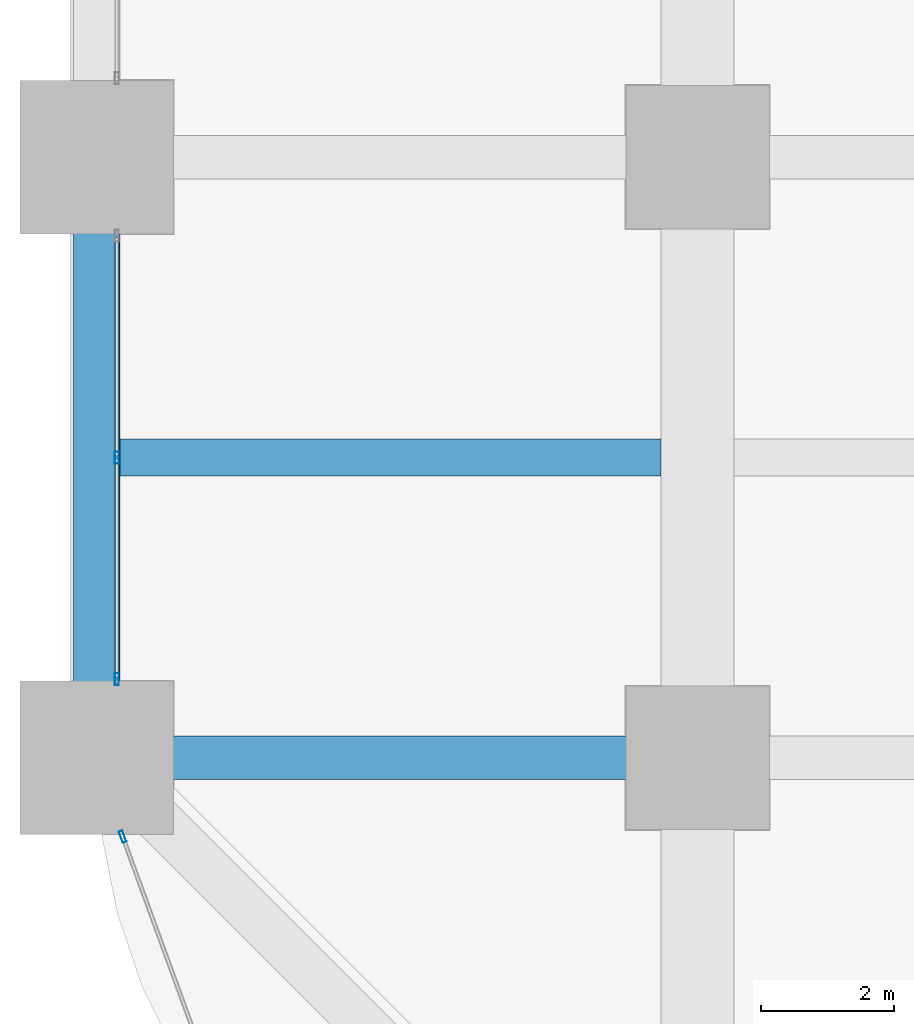
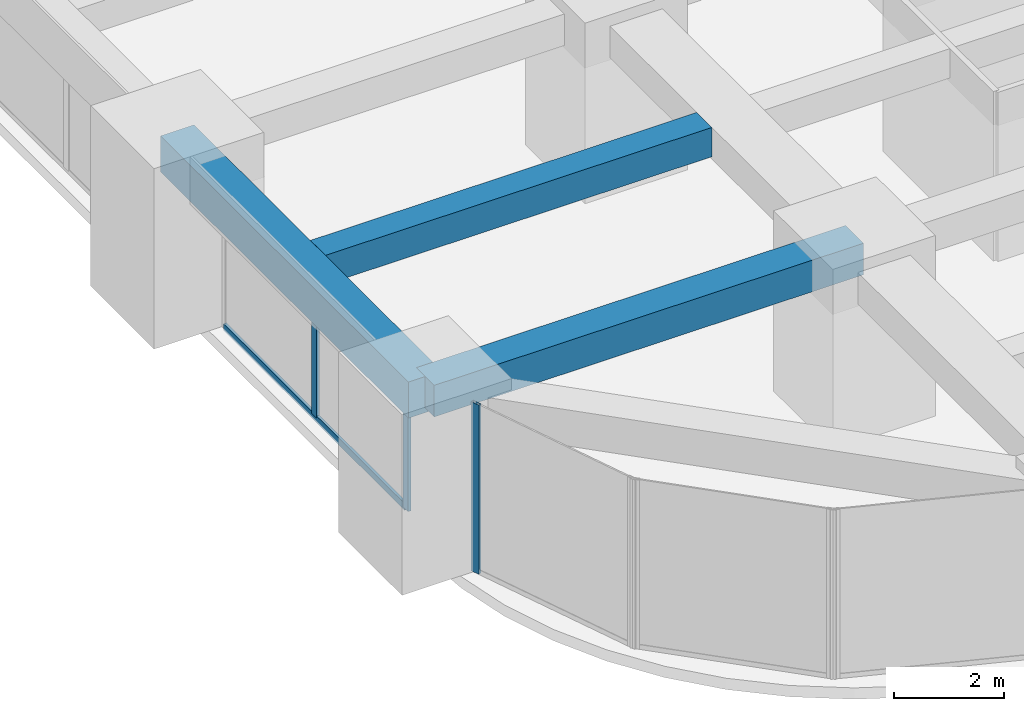
# One storey, part 4 of 44: 4 members, 3 beams, 2 elements without a shape of their own.
"""IFC4 building model written with IfcOpenShell, lengths in metres."""

import ifcopenshell
import ifcopenshell.guid

model = None  # the IFC model being written
_history = None  # IfcOwnerHistory: only IFC2X3 demands one
_inside = {}  # id of a spatial element -> (the spatial element, [elements in it])
_under = {}  # id of a project, library or spatial element -> (it, [spatial elements below it])
_declared = {}  # id of a project -> (the project, [libraries it declares])
_typed = {}  # id of a type object -> (the type object, [elements of that type])
_made_of = {}  # id of a material, layer set ... -> (it, [elements and type objects made of it])


def new_model(schema):
    """Start an empty IFC model of exactly this schema.

    Asked for "IFC4X3", IfcOpenShell would pick the latest addendum, in which some entities
    have other attributes; the version numbers below select the first issue.
    IFC2X3 requires an IfcOwnerHistory on every rooted entity: one is made here for all.
    """
    global model, _history
    if schema == "IFC4X3":
        model = ifcopenshell.file(schema_version=(4, 3, 0, 0))
    else:
        model = ifcopenshell.file(schema=schema)
    _inside.clear()
    _under.clear()
    _declared.clear()
    _typed.clear()
    _made_of.clear()
    _history = None
    if model.schema == "IFC2X3":
        org = make("IfcOrganization", Name="unknown")
        user = make(
            "IfcPersonAndOrganization",
            ThePerson=make("IfcPerson", FamilyName="unknown"),
            TheOrganization=org,
        )
        app = make(
            "IfcApplication",
            ApplicationDeveloper=org,
            Version="unknown",
            ApplicationFullName="unknown",
            ApplicationIdentifier="unknown",
        )
        _history = make(
            "IfcOwnerHistory",
            OwningUser=user,
            OwningApplication=app,
            ChangeAction="ADDED",
            CreationDate=0,
        )
    return model


def make(cls, **values):
    """One entity of the class cls with the attributes given. An attribute that is None is left unset."""
    return model.create_entity(
        cls, **{name: value for name, value in values.items() if value is not None}
    )


def rooted(cls, **values):
    """An entity with a GlobalId (a new one), such as an element, a storey or a relation."""
    return make(cls, GlobalId=ifcopenshell.guid.new(), OwnerHistory=_history, **values)


def si_unit(unit_type, name, prefix=None):
    """IfcSIUnit, for example si_unit("LENGTHUNIT", "METRE", prefix="MILLI")."""
    return make("IfcSIUnit", UnitType=unit_type, Prefix=prefix, Name=name)


def assignment(units):
    """IfcUnitAssignment: the units of a project."""
    return None if units is None else make("IfcUnitAssignment", Units=units)


def point(xyz):
    """IfcCartesianPoint."""
    return None if xyz is None else make("IfcCartesianPoint", Coordinates=xyz)


def direction(xyz):
    """IfcDirection."""
    return None if xyz is None else make("IfcDirection", DirectionRatios=xyz)


def frame(location, z_axis=None, x_axis=None):
    """IfcAxis2Placement3D, a coordinate frame: its origin and axes. An axis left out is left unset."""
    return make(
        "IfcAxis2Placement3D",
        Location=point(location),
        Axis=direction(z_axis),
        RefDirection=direction(x_axis),
    )


def frame_2d(location, x_axis=None):
    """IfcAxis2Placement2D, a coordinate frame in the plane: its origin and x axis."""
    return make(
        "IfcAxis2Placement2D", Location=point(location), RefDirection=direction(x_axis)
    )


def origin():
    """The frame at (0, 0, 0) with its axes left unset."""
    return frame((0.0, 0.0, 0.0))


def origin_2d():
    """The frame at (0, 0) in the plane with its x axis left unset."""
    return frame_2d((0.0, 0.0))


def place(relative_to, where):
    """IfcLocalPlacement: puts the frame where relative to a parent placement (None: the world)."""
    return make(
        "IfcLocalPlacement", PlacementRelTo=relative_to, RelativePlacement=where
    )


def context(
    kind, dimensions, precision=None, world=None, true_north=None, identifier=None
):
    """IfcGeometricRepresentationContext, for example the 3D "Model" context."""
    return make(
        "IfcGeometricRepresentationContext",
        ContextIdentifier=identifier,
        ContextType=kind,
        CoordinateSpaceDimension=dimensions,
        Precision=precision,
        WorldCoordinateSystem=world,
        TrueNorth=true_north,
    )


def subcontext(parent, identifier, kind, view, scale=None):
    """IfcGeometricRepresentationSubContext, for example "Body" below "Model"."""
    return make(
        "IfcGeometricRepresentationSubContext",
        ContextIdentifier=identifier,
        ContextType=kind,
        ParentContext=parent,
        TargetScale=scale,
        TargetView=view,
    )


def project(units=None, contexts=None):
    """IfcProject with its units and contexts."""
    return rooted(
        "IfcProject",
        Name="project",
        RepresentationContexts=contexts,
        UnitsInContext=assignment(units),
    )


def spatial(cls, under=None, at=None, **own):
    """A site, building, storey or space (cls), placed at a placement, below another one or the project."""
    s = rooted(cls, ObjectPlacement=at, **own)
    if under is not None:
        _under.setdefault(under.id(), (under, []))[1].append(s)
    return s


def profile(cls, at=None, kind="AREA", **sizes):
    """A parametric profile (cls). Its sizes go by their IFC names, for example OverallWidth=200.0."""
    return make(cls, ProfileType=kind, Position=at, **sizes)


def rectangle(**sizes):
    """IfcRectangleProfileDef."""
    return profile("IfcRectangleProfileDef", **sizes)


def hollow_rectangle(**sizes):
    """IfcRectangleHollowProfileDef."""
    return profile("IfcRectangleHollowProfileDef", **sizes)


def extrude(swept, where, along, depth):
    """IfcExtrudedAreaSolid: the profile swept, set in the frame where, extruded along a direction by depth."""
    return make(
        "IfcExtrudedAreaSolid",
        SweptArea=swept,
        Position=where,
        ExtrudedDirection=direction(along),
        Depth=depth,
    )


def shape(context_of_items, identifier, shape_type, items):
    """IfcShapeRepresentation: the items that make up one representation, for example the "Body"."""
    return make(
        "IfcShapeRepresentation",
        ContextOfItems=context_of_items,
        RepresentationIdentifier=identifier,
        RepresentationType=shape_type,
        Items=items,
    )


def material(Name=None, Category=None):
    """IfcMaterial."""
    return make("IfcMaterial", Name=Name, Category=Category)


def material_profile(
    of_material, cross_section, Name=None, Category=None, Priority=None
):
    """IfcMaterialProfile: a cross section and its material."""
    return make(
        "IfcMaterialProfile",
        Name=Name,
        Material=of_material,
        Profile=cross_section,
        Priority=Priority,
        Category=Category,
    )


def profile_set(profiles, Name=None, composite=None):
    """IfcMaterialProfileSet."""
    return make(
        "IfcMaterialProfileSet",
        Name=Name,
        MaterialProfiles=profiles,
        CompositeProfile=composite,
    )


def made_of(thing, what):
    """Note that an element or type object is made of a material, layer set ...; save() writes the relation."""
    if what is not None:
        _made_of.setdefault(what.id(), (what, []))[1].append(thing)
    return thing


def type_object(cls, material=None, **own):
    """A type object (cls), such as IfcWallType, which elements share."""
    return made_of(rooted(cls, **own), material)


def element(
    cls,
    number,
    at=None,
    inside=None,
    cuts=None,
    type_object=None,
    material=None,
    context=None,
    identifier="Body",
    shape_type=None,
    held_by="IfcProductDefinitionShape",
    body=None,
    shapes=None,
    **own,
):
    """One element of the class cls, such as IfcWall. Its Tag is "e" and its number.

    at: its placement. inside: the storey or other place that contains it. cuts: it is an
    opening in that element (IfcRelVoidsElement). A single representation is given by context,
    identifier, shape_type and body (its items); several are given by shapes. held_by: the class
    of the entity that holds the representations. save() writes the other relations.
    """
    e = rooted(cls, Tag="e%d" % number, ObjectPlacement=at, **own)
    if body is not None:
        shapes = [shape(context, identifier, shape_type, body)]
    if shapes is not None:
        e.Representation = make(held_by, Representations=shapes)
    if inside is not None:
        _inside.setdefault(inside.id(), (inside, []))[1].append(e)
    if cuts is not None:
        rooted(
            "IfcRelVoidsElement", RelatingBuildingElement=cuts, RelatedOpeningElement=e
        )
    if type_object is not None:
        _typed.setdefault(type_object.id(), (type_object, []))[1].append(e)
    return made_of(e, material)


def aggregate(whole, parts):
    """IfcRelAggregates: a whole, such as a stair, and the parts it consists of."""
    return rooted("IfcRelAggregates", RelatingObject=whole, RelatedObjects=parts)


def save(model, path):
    """Write the relations noted so far, then the file.

    IfcRelAggregates (storeys below a building ...), IfcRelContainedInSpatialStructure (elements
    in a storey), IfcRelDefinesByType, IfcRelAssociatesMaterial and IfcRelDeclares: one each for
    every whole, place, type object, material and project.
    """
    for whole, parts in _under.values():
        aggregate(whole, parts)
    for where, things in _inside.values():
        rooted(
            "IfcRelContainedInSpatialStructure",
            RelatedElements=things,
            RelatingStructure=where,
        )
    for kind, things in _typed.values():
        rooted("IfcRelDefinesByType", RelatedObjects=things, RelatingType=kind)
    for what, things in _made_of.values():
        rooted("IfcRelAssociatesMaterial", RelatedObjects=things, RelatingMaterial=what)
    for by, libraries in _declared.values():
        rooted("IfcRelDeclares", RelatingContext=by, RelatedDefinitions=libraries)
    model.write(path)


model = new_model("IFC4")

# Units and contexts
model_context = context("Model", 3, precision=1e-05, world=origin(), true_north=direction((0.0, 1.0)))
body_context = subcontext(model_context, "Body", "Model", "MODEL_VIEW")
ifc_project = project(units=[si_unit("LENGTHUNIT", "METRE"), si_unit("AREAUNIT", "SQUARE_METRE"), si_unit("VOLUMEUNIT", "CUBIC_METRE"), si_unit("PLANEANGLEUNIT", "RADIAN"), si_unit("MASSUNIT", "GRAM", prefix="KILO")], contexts=[model_context])

# Site, building, storey
site_placement = place(None, origin())
site = spatial("IfcSite", under=ifc_project, at=site_placement, CompositionType="ELEMENT")
building_placement = place(site_placement, origin())
building = spatial("IfcBuilding", under=site, at=building_placement, Name="Zorevar Civic Tower", CompositionType="ELEMENT")
storey_placement = place(building_placement, frame((0.0, 0.0, 59.800048828125)))
storey = spatial("IfcBuildingStorey", under=building, at=storey_placement, Name="L14", CompositionType="ELEMENT", Elevation=59.800048828125)

# Beams
ifc_material_1 = material(Name="Concrete C50/60", Category="concrete")
ifc_material_profile_1 = material_profile(ifc_material_1, rectangle(XDim=0.550048828125, YDim=0.64990234375, at=origin_2d()), Name="RC 550x650")
ifc_profile_set_1 = profile_set([ifc_material_profile_1], Name="Concrete C50/60")
beam_type_1 = type_object("IfcBeamType", Name="Beam RC 550x650", PredefinedType="BEAM", material=ifc_profile_set_1)
beam_1_placement = place(storey_placement, frame((0.35009765625, 13.5, 3.425048828125), z_axis=(1.0, 0.0, 0.0), x_axis=(0.0, 1.0, 0.0)))
element("IfcBeam", 1, at=beam_1_placement, inside=storey, type_object=beam_type_1, Name="Secondary beam L15", PredefinedType="BEAM", context=body_context, shape_type="SweptSolid", body=[
    extrude(rectangle(XDim=0.550048828125, YDim=0.64990234375, at=origin_2d()), origin(), (0.0, 0.0, 1.0), 8.099853515625),
])
ifc_material_2 = material(Name="Concrete C50/60", Category="concrete")
ifc_material_profile_2 = material_profile(ifc_material_2, rectangle(XDim=0.64990234375, YDim=0.699951171875, at=origin_2d()), Name="RC 650x700")
ifc_profile_set_2 = profile_set([ifc_material_profile_2], Name="Concrete C50/60")
beam_type_2 = type_object("IfcBeamType", Name="Beam RC 650x700", PredefinedType="BEAM", material=ifc_profile_set_2)
beam_2_placement = place(storey_placement, frame((0.0, 9.0, 3.39990234375), z_axis=(1.0, 0.0, 0.0), x_axis=(0.0, 1.0, 0.0)))
element("IfcBeam", 2, at=beam_2_placement, inside=storey, type_object=beam_type_2, Name="Girder L15", PredefinedType="BEAM", context=body_context, shape_type="SweptSolid", body=[
    extrude(rectangle(XDim=0.64990234375, YDim=0.699951171875, at=origin_2d()), origin(), (0.0, 0.0, 1.0), 9.0),
])

# Curtain wall, members
ifc_material_3 = material(Name="Dark grey solar-control glass in black aluminium frame", Category="aluminium")
curtain_wall_type = type_object("IfcCurtainWallType", Name="Curtain wall CW2 low zone", PredefinedType="NOTDEFINED", material=ifc_material_3)
curtain_wall_1_placement = place(storey_placement, origin())
curtain_wall_1 = element("IfcCurtainWall", 3, at=curtain_wall_1_placement, inside=storey, type_object=curtain_wall_type, Name="CW2 L14", PredefinedType="NOTDEFINED")
ifc_material_4 = material(Name="Aluminium, black anodised", Category="aluminium")
ifc_material_profile_3 = material_profile(ifc_material_4, hollow_rectangle(XDim=0.06005859375, YDim=0.179931640625, WallThickness=0.00390625, at=origin_2d()), Name="AL 180x60x4")
ifc_profile_set_3 = profile_set([ifc_material_profile_3], Name="Aluminium, black anodised")
member_type_1 = type_object("IfcMemberType", Name="CW2 mullion AL 180x60x4", PredefinedType="MULLION", material=ifc_profile_set_3)
member_1_placement = place(storey_placement, frame((0.300048828125, 10.179931640625, 0.0), z_axis=(0.0, 0.0, 1.0), x_axis=(-1.0, 0.0, 0.0)))
member_1 = element("IfcMember", 4, at=member_1_placement, type_object=member_type_1, Name="CW2 mullion 1", PredefinedType="MULLION", context=body_context, shape_type="SweptSolid", body=[
    extrude(hollow_rectangle(XDim=0.06005859375, YDim=0.179931640625, WallThickness=0.00390625, at=origin_2d()), origin(), (0.0, 0.0, 1.0), 2.949951171875),
])
member_2_placement = place(storey_placement, frame((0.300048828125, 13.5, 0.06005859375), z_axis=(0.0, 0.0, 1.0), x_axis=(-1.0, 0.0, 0.0)))
member_2 = element("IfcMember", 5, at=member_2_placement, type_object=member_type_1, Name="CW2 mullion 2", PredefinedType="MULLION", context=body_context, shape_type="SweptSolid", body=[
    extrude(hollow_rectangle(XDim=0.06005859375, YDim=0.179931640625, WallThickness=0.00390625, at=origin_2d()), origin(), (0.0, 0.0, 1.0), 2.889892578125),
])

# Curtain wall, member
curtain_wall_2_placement = place(storey_placement, origin())
curtain_wall_2 = element("IfcCurtainWall", 6, at=curtain_wall_2_placement, inside=storey, type_object=curtain_wall_type, Name="CW2 L14", PredefinedType="NOTDEFINED")
member_3_placement = place(storey_placement, frame((0.38671875, 7.82177734375, 0.0), z_axis=(0.0, 0.0, 1.0), x_axis=(0.939313345732, 0.343060400701, 0.0)))
member_3 = element("IfcMember", 7, at=member_3_placement, type_object=member_type_1, Name="CW2 mullion 1", PredefinedType="MULLION", context=body_context, shape_type="SweptSolid", body=[
    extrude(hollow_rectangle(XDim=0.06005859375, YDim=0.179931640625, WallThickness=0.00390625, at=origin_2d()), origin(), (0.0, 0.0, 1.0), 3.75),
])
aggregate(curtain_wall_2, [member_3])

# Member
ifc_material_5 = material(Name="Aluminium, black anodised", Category="aluminium")
ifc_material_profile_4 = material_profile(ifc_material_5, hollow_rectangle(XDim=0.06005859375, YDim=0.14990234375, WallThickness=0.00390625, at=origin_2d()), Name="AL 150x60x4")
ifc_profile_set_4 = profile_set([ifc_material_profile_4], Name="Aluminium, black anodised")
member_type_2 = type_object("IfcMemberType", Name="CW2 transom AL 150x60x4", PredefinedType="USERDEFINED", material=ifc_profile_set_4)
member_4_placement = place(storey_placement, frame((0.300048828125, 10.2099609375, 0.030029296875), z_axis=(0.0, 1.0, 0.0), x_axis=(-1.0, 0.0, 0.0)))
member_4 = element("IfcMember", 8, at=member_4_placement, type_object=member_type_2, Name="CW2 sill transom", ObjectType="TRANSOM", PredefinedType="USERDEFINED", context=body_context, shape_type="SweptSolid", body=[
    extrude(hollow_rectangle(XDim=0.06005859375, YDim=0.14990234375, WallThickness=0.00390625, at=origin_2d()), origin(), (0.0, 0.0, 1.0), 6.580078125),
])

aggregate(curtain_wall_1, [member_1, member_2, member_4])

# Beam
ifc_material_6 = material(Name="Concrete C50/60", Category="concrete")
ifc_material_profile_5 = material_profile(ifc_material_6, rectangle(XDim=0.699951171875, YDim=0.800048828125, at=origin_2d()), Name="RC 700x800")
ifc_profile_set_5 = profile_set([ifc_material_profile_5], Name="Concrete C50/60")
beam_type_3 = type_object("IfcBeamType", Name="Edge beam RC 700x800", PredefinedType="SPANDREL", material=ifc_profile_set_5)
beam_3_placement = place(storey_placement, frame((0.0, 9.0, 3.349853515625), z_axis=(0.0, 1.0, 0.0), x_axis=(-1.0, 0.0, 0.0)))
element("IfcBeam", 9, at=beam_3_placement, inside=storey, type_object=beam_type_3, Name="Edge beam L15", PredefinedType="SPANDREL", context=body_context, shape_type="SweptSolid", body=[
    extrude(rectangle(XDim=0.699951171875, YDim=0.800048828125, at=origin_2d()), origin(), (0.0, 0.0, 1.0), 9.0),
])

save(model, "model.ifc")
